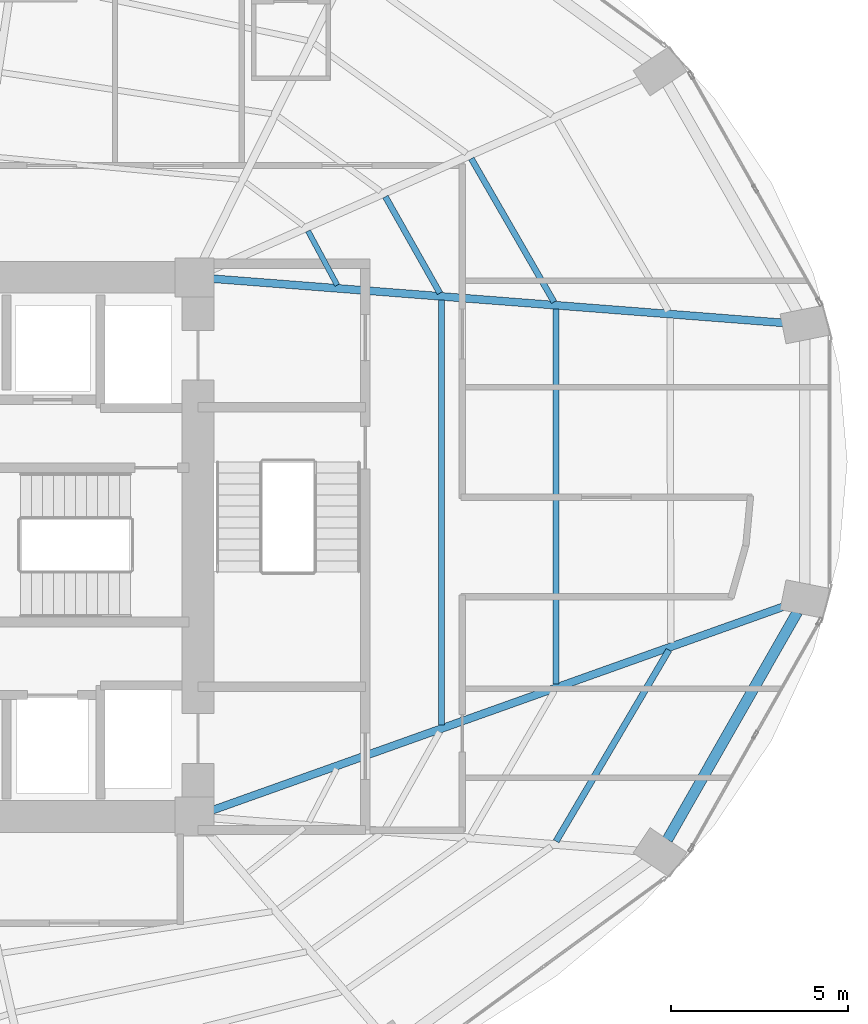
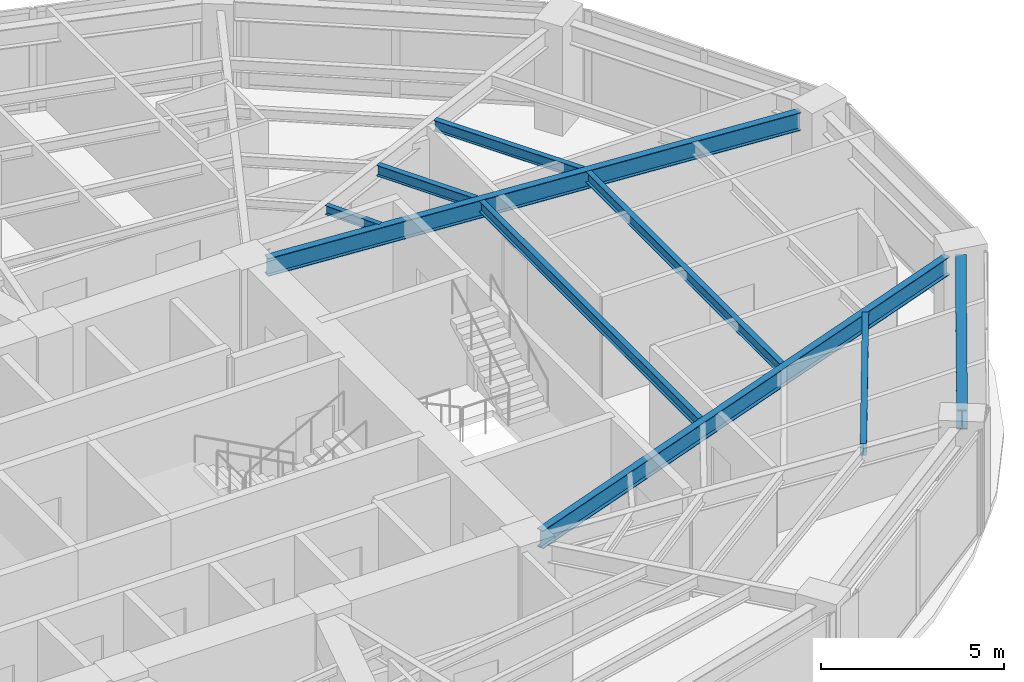
# One storey, part 12 of 25: 9 beams.
"""IFC4 building model written with IfcOpenShell, lengths in metres."""

from ifc_helpers import new_model, si_unit, direction, frame, origin, origin_2d, place, context, subcontext, project, spatial, i_section, extrude, material, material_profile, profile_set, type_object, element, save


model = new_model("IFC4")

# Units and contexts
model_context = context("Model", 3, precision=1e-05, world=origin(), true_north=direction((0.0, 1.0)))
body_context = subcontext(model_context, "Body", "Model", "MODEL_VIEW")
ifc_project = project(units=[si_unit("LENGTHUNIT", "METRE"), si_unit("AREAUNIT", "SQUARE_METRE"), si_unit("VOLUMEUNIT", "CUBIC_METRE"), si_unit("PLANEANGLEUNIT", "RADIAN"), si_unit("MASSUNIT", "GRAM", prefix="KILO")], contexts=[model_context])

# Site, building, storey
site_placement = place(None, origin())
site = spatial("IfcSite", under=ifc_project, at=site_placement, CompositionType="ELEMENT")
building_placement = place(site_placement, origin())
building = spatial("IfcBuilding", under=site, at=building_placement, Name="Lazwardi Medical Tower", CompositionType="ELEMENT")
storey_placement = place(building_placement, frame((0.0, 0.0, 50.736083984375)))
storey = spatial("IfcBuildingStorey", under=building, at=storey_placement, Name="L12", CompositionType="ELEMENT", Elevation=50.736083984375)

# Beams
ifc_material = material(Name="Steel S355", Category="steel")
ifc_material_profile_1 = material_profile(ifc_material, i_section(OverallWidth=0.300048828125, OverallDepth=0.64990234375, WebThickness=0.01611328125, FlangeThickness=0.031005859375, at=origin_2d()), Name="HEB 650")
ifc_profile_set_1 = profile_set([ifc_material_profile_1], Name="Steel S355")
beam_type_1 = type_object("IfcBeamType", Name="BM-RB-Z1", PredefinedType="BEAM", material=ifc_profile_set_1)
beam_1_placement = place(storey_placement, frame((58.927978515625, 19.75048828125, 3.10302734375), z_axis=(0.495829348644, 0.868419977328, 0.0), x_axis=(-0.868419977328, 0.495829348644, 0.0)))
element("IfcBeam", 1, at=beam_1_placement, inside=storey, type_object=beam_type_1, Name="Ring beam RB-02 B03 L12", PredefinedType="BEAM", context=body_context, shape_type="SweptSolid", body=[
    extrude(i_section(OverallWidth=0.300048828125, OverallDepth=0.64990234375, WebThickness=0.01611328125, FlangeThickness=0.031005859375, at=origin_2d()), origin(), (0.0, 0.0, 1.0), 7.38916015625),
])
ifc_material_profile_2 = material_profile(ifc_material, i_section(OverallWidth=0.219970703125, OverallDepth=0.60009765625, WebThickness=0.011962890625, FlangeThickness=0.01904296875, at=origin_2d()), Name="IPE 600")
ifc_profile_set_2 = profile_set([ifc_material_profile_2], Name="Steel S355")
beam_type_2 = type_object("IfcBeamType", Name="BM-RG-W1", PredefinedType="BEAM", material=ifc_profile_set_2)
beam_2_placement = place(storey_placement, frame((62.253662109375, 26.33740234375, 3.1279296875), z_axis=(-0.941925080425, -0.335823082688, 0.0), x_axis=(0.335823082688, -0.941925080425, 0.0)))
element("IfcBeam", 2, at=beam_2_placement, inside=storey, type_object=beam_type_2, Name="Radial girder RG-02 R04 L12", PredefinedType="BEAM", context=body_context, shape_type="SweptSolid", body=[
    extrude(i_section(OverallWidth=0.219970703125, OverallDepth=0.60009765625, WebThickness=0.011962890625, FlangeThickness=0.01904296875, at=origin_2d()), origin(), (0.0, 0.0, 1.0), 17.145263671875),
])
beam_3_placement = place(storey_placement, frame((62.2216796875, 34.3125, 3.1279296875), z_axis=(-0.997013942066, 0.077221754231, 0.0), x_axis=(-0.077221754231, -0.997013942066, 0.0)))
element("IfcBeam", 3, at=beam_3_placement, inside=storey, type_object=beam_type_2, Name="Radial girder RG-02 R05 L12", PredefinedType="BEAM", context=body_context, shape_type="SweptSolid", body=[
    extrude(i_section(OverallWidth=0.219970703125, OverallDepth=0.60009765625, WebThickness=0.011962890625, FlangeThickness=0.01904296875, at=origin_2d()), origin(), (0.0, 0.0, 1.0), 16.136474609375),
])
ifc_material_profile_3 = material_profile(ifc_material, i_section(OverallWidth=0.179931640625, OverallDepth=0.39990234375, WebThickness=0.008544921875, FlangeThickness=0.013427734375, at=origin_2d()), Name="IPE 400")
ifc_profile_set_3 = profile_set([ifc_material_profile_3], Name="Steel S355")
beam_type_3 = type_object("IfcBeamType", Name="BM-SJ-01", PredefinedType="JOIST", material=ifc_profile_set_3)
beam_4_placement = place(storey_placement, frame((55.793212890625, 19.70654296875, 3.22802734375), z_axis=(0.507886270937, 0.861424132349, 0.0), x_axis=(-0.861424132349, 0.507886270937, 0.0)))
element("IfcBeam", 4, at=beam_4_placement, inside=storey, type_object=beam_type_3, Name="Secondary joist SJ-01 R1 B03 L12", PredefinedType="JOIST", context=body_context, shape_type="SweptSolid", body=[
    extrude(i_section(OverallWidth=0.179931640625, OverallDepth=0.39990234375, WebThickness=0.008544921875, FlangeThickness=0.013427734375, at=origin_2d()), origin(), (0.0, 0.0, 1.0), 6.255859375),
])
ifc_material_profile_4 = material_profile(ifc_material, i_section(OverallWidth=0.169921875, OverallDepth=0.360107421875, WebThickness=0.008056640625, FlangeThickness=0.0126953125, at=origin_2d()), Name="IPE 360")
ifc_profile_set_4 = profile_set([ifc_material_profile_4], Name="Steel S355")
beam_type_4 = type_object("IfcBeamType", Name="BM-SJ-02", PredefinedType="JOIST", material=ifc_profile_set_4)
beam_5_placement = place(storey_placement, frame((55.793701171875, 24.139404296875, 3.247802734375), z_axis=(-0.000670039821, 0.999999775523, 0.0), x_axis=(-0.999999775523, -0.000670039821, 0.0)))
element("IfcBeam", 5, at=beam_5_placement, inside=storey, type_object=beam_type_4, Name="Secondary joist SJ-02 R2 B04 L12", PredefinedType="JOIST", context=body_context, shape_type="SweptSolid", body=[
    extrude(i_section(OverallWidth=0.169921875, OverallDepth=0.360107421875, WebThickness=0.008056640625, FlangeThickness=0.0126953125, at=origin_2d()), origin(), (0.0, 0.0, 1.0), 10.566650390625),
])
beam_6_placement = place(storey_placement, frame((55.73388671875, 34.90185546875, 3.247802734375), z_axis=(-0.499785866494, 0.866148998529, 0.0), x_axis=(-0.866148998529, -0.499785866494, 0.0)))
element("IfcBeam", 6, at=beam_6_placement, inside=storey, type_object=beam_type_4, Name="Secondary joist SJ-02 R2 B05 L12", PredefinedType="JOIST", context=body_context, shape_type="SweptSolid", body=[
    extrude(i_section(OverallWidth=0.169921875, OverallDepth=0.360107421875, WebThickness=0.008056640625, FlangeThickness=0.0126953125, at=origin_2d()), origin(), (0.0, 0.0, 1.0), 4.666015625),
])
beam_7_placement = place(storey_placement, frame((52.56396484375, 22.98779296875, 3.247802734375), z_axis=(0.000387612685, 0.999999924878, 0.0), x_axis=(-0.999999924878, 0.000387612685, 0.0)))
element("IfcBeam", 7, at=beam_7_placement, inside=storey, type_object=beam_type_4, Name="Secondary joist SJ-02 R3 B04 L12", PredefinedType="JOIST", context=body_context, shape_type="SweptSolid", body=[
    extrude(i_section(OverallWidth=0.169921875, OverallDepth=0.360107421875, WebThickness=0.008056640625, FlangeThickness=0.0126953125, at=origin_2d()), origin(), (0.0, 0.0, 1.0), 11.96728515625),
])
beam_8_placement = place(storey_placement, frame((52.51708984375, 35.151611328125, 3.247802734375), z_axis=(-0.491923287977, 0.870638546554, 0.0), x_axis=(-0.870638546554, -0.491923287977, 0.0)))
element("IfcBeam", 8, at=beam_8_placement, inside=storey, type_object=beam_type_4, Name="Secondary joist SJ-02 R3 B05 L12", PredefinedType="JOIST", context=body_context, shape_type="SweptSolid", body=[
    extrude(i_section(OverallWidth=0.169921875, OverallDepth=0.360107421875, WebThickness=0.008056640625, FlangeThickness=0.0126953125, at=origin_2d()), origin(), (0.0, 0.0, 1.0), 3.122802734375),
])
ifc_material_profile_5 = material_profile(ifc_material, i_section(OverallWidth=0.14990234375, OverallDepth=0.300048828125, WebThickness=0.007080078125, FlangeThickness=0.0107421875, at=origin_2d()), Name="IPE 300")
ifc_profile_set_5 = profile_set([ifc_material_profile_5], Name="Steel S355")
beam_type_5 = type_object("IfcBeamType", Name="BM-SJ-03", PredefinedType="JOIST", material=ifc_profile_set_5)
beam_9_placement = place(storey_placement, frame((49.623046875, 35.376953125, 3.27783203125), z_axis=(-0.473982292828, 0.880534375301, 0.0), x_axis=(-0.880534375301, -0.473982292828, 0.0)))
element("IfcBeam", 9, at=beam_9_placement, inside=storey, type_object=beam_type_5, Name="Secondary joist SJ-03 R4 B05 L12", PredefinedType="JOIST", context=body_context, shape_type="SweptSolid", body=[
    extrude(i_section(OverallWidth=0.14990234375, OverallDepth=0.300048828125, WebThickness=0.007080078125, FlangeThickness=0.0107421875, at=origin_2d()), origin(), (0.0, 0.0, 1.0), 1.734375),
])

save(model, "model.ifc")
